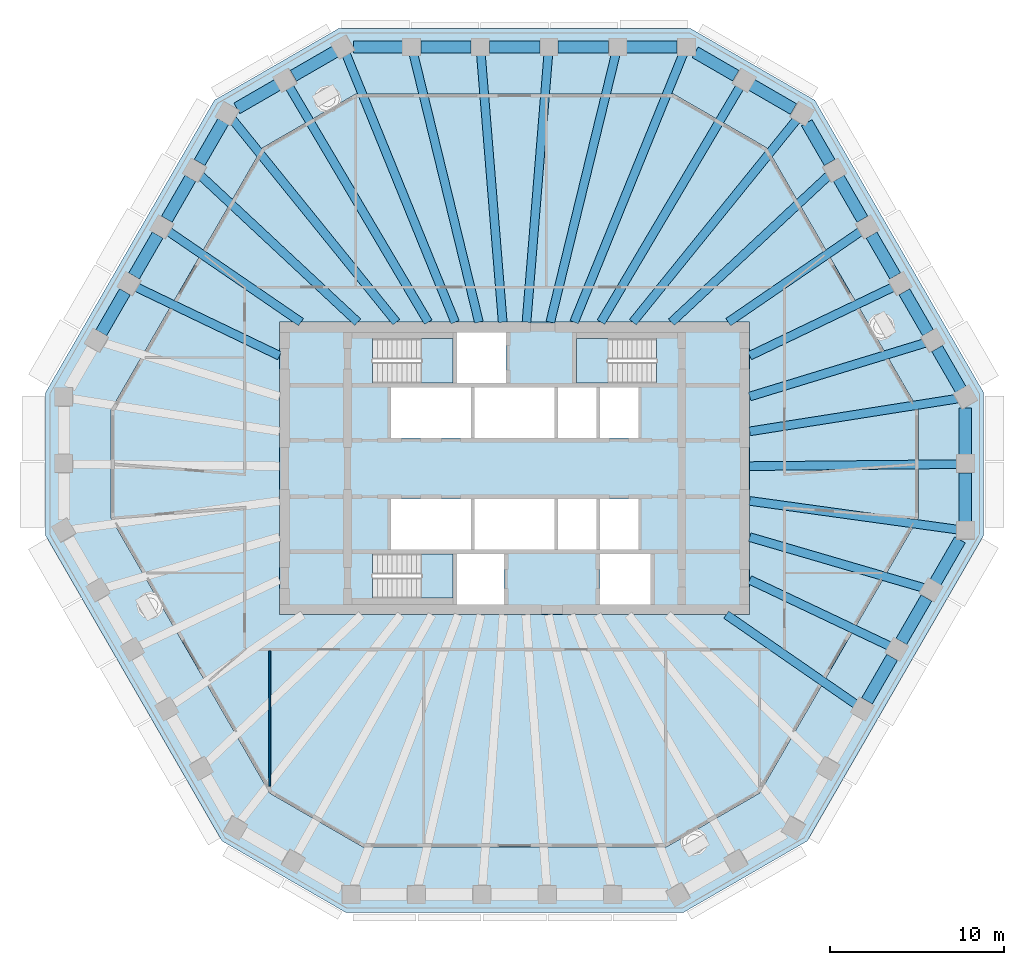
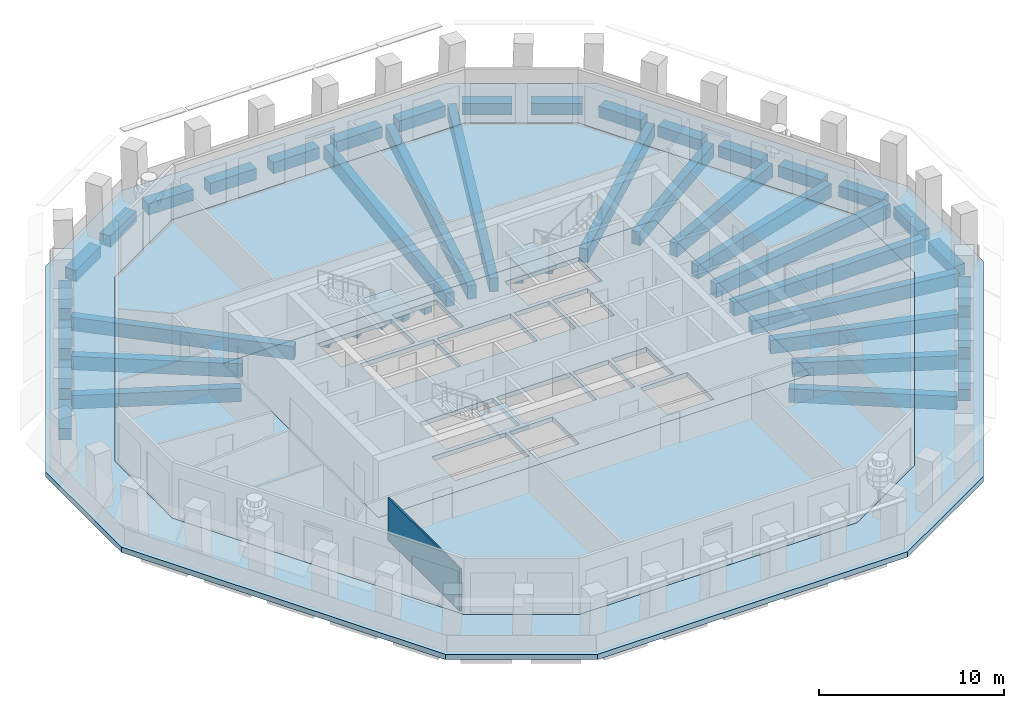
# One storey, part 2 of 12: 46 beams, 6 slabs, 1 wall, 3 elements without a shape of their own.
"""IFC4 building model written with IfcOpenShell, lengths in metres."""

from ifc_helpers import new_model, si_unit, direction, frame, frame_2d, origin, origin_2d, place, context, subcontext, project, spatial, polyline, rectangle, outline, extrude, material, layer, layer_set, material_profile, profile_set, type_object, element, aggregate, save


model = new_model("IFC4")

# Units and contexts
model_context = context("Model", 3, precision=1e-05, world=origin(), true_north=direction((0.0, 1.0)))
body_context = subcontext(model_context, "Body", "Model", "MODEL_VIEW")
ifc_project = project(units=[si_unit("LENGTHUNIT", "METRE"), si_unit("AREAUNIT", "SQUARE_METRE"), si_unit("VOLUMEUNIT", "CUBIC_METRE"), si_unit("PLANEANGLEUNIT", "RADIAN"), si_unit("MASSUNIT", "GRAM", prefix="KILO")], contexts=[model_context])

# Site, building, storey
site_placement = place(None, origin())
site = spatial("IfcSite", under=ifc_project, at=site_placement, CompositionType="ELEMENT")
building_placement = place(site_placement, origin())
building = spatial("IfcBuilding", under=site, at=building_placement, Name="Frailejon Research Tower", CompositionType="ELEMENT")
storey_placement = place(building_placement, frame((0.0, 0.0, 219.39990234375)))
storey = spatial("IfcBuildingStorey", under=building, at=storey_placement, Name="L47", CompositionType="ELEMENT", Elevation=219.39990234375)

# Beams
ifc_material_1 = material(Name="Concrete C60/75", Category="concrete")
ifc_material_profile_1 = material_profile(ifc_material_1, rectangle(XDim=0.5, YDim=0.89990234375, at=origin_2d()), Name="Girder 500x900")
ifc_profile_set_1 = profile_set([ifc_material_profile_1], Name="Concrete C60/75")
beam_type_1 = type_object("IfcBeamType", Name="Girder 500x900", PredefinedType="BEAM", material=ifc_profile_set_1)
beam_1_placement = place(storey_placement, frame((25.503173828125, -3.523193359375, -0.75), z_axis=(-0.990592142307, 0.13684738799, 0.0), x_axis=(-0.13684738799, -0.990592142307, 0.0)))
element("IfcBeam", 1, at=beam_1_placement, inside=storey, type_object=beam_type_1, Name="Girder 500x900", PredefinedType="BEAM", context=body_context, shape_type="SweptSolid", body=[
    extrude(rectangle(XDim=0.5, YDim=0.89990234375, at=origin_2d()), origin(), (0.0, 0.0, 1.0), 12.1171875),
])
beam_2_placement = place(storey_placement, frame((25.50439453125, 0.247802734375, -0.75), z_axis=(-0.999952750785, -0.009720915495, 0.0), x_axis=(0.009720915495, -0.999952750785, 0.0)))
element("IfcBeam", 2, at=beam_2_placement, inside=storey, type_object=beam_type_1, Name="Girder 500x900", PredefinedType="BEAM", context=body_context, shape_type="SweptSolid", body=[
    extrude(rectangle(XDim=0.5, YDim=0.89990234375, at=origin_2d()), origin(), (0.0, 0.0, 1.0), 12.0048828125),
])
beam_3_placement = place(storey_placement, frame((25.471923828125, 4.013916015625, -0.75), z_axis=(-0.987808492492, -0.15567396109, 0.0), x_axis=(0.15567396109, -0.987808492492, 0.0)))
element("IfcBeam", 3, at=beam_3_placement, inside=storey, type_object=beam_type_1, Name="Girder 500x900", PredefinedType="BEAM", context=body_context, shape_type="SweptSolid", body=[
    extrude(rectangle(XDim=0.5, YDim=0.89990234375, at=origin_2d()), origin(), (0.0, 0.0, 1.0), 12.11962890625),
])
beam_4_placement = place(storey_placement, frame((23.626220703125, 7.223388671875, -0.75), z_axis=(-0.956303411708, -0.292376101547, 0.0), x_axis=(0.292376101547, -0.956303411708, 0.0)))
element("IfcBeam", 4, at=beam_4_placement, inside=storey, type_object=beam_type_1, Name="Girder 500x900", PredefinedType="BEAM", context=body_context, shape_type="SweptSolid", body=[
    extrude(rectangle(XDim=0.5, YDim=0.89990234375, at=origin_2d()), origin(), (0.0, 0.0, 1.0), 10.5888671875),
])
beam_5_placement = place(storey_placement, frame((21.776611328125, 10.43359375, -0.75), z_axis=(-0.901828770545, -0.432093587799, 0.0), x_axis=(0.432093587799, -0.901828770545, 0.0)))
element("IfcBeam", 5, at=beam_5_placement, inside=storey, type_object=beam_type_1, Name="Girder 500x900", PredefinedType="BEAM", context=body_context, shape_type="SweptSolid", body=[
    extrude(rectangle(XDim=0.5, YDim=0.89990234375, at=origin_2d()), origin(), (0.0, 0.0, 1.0), 9.177490234375),
])
beam_6_placement = place(storey_placement, frame((19.924072265625, 13.642578125, -0.75), z_axis=(-0.825105217807, -0.564979096559, 0.0), x_axis=(0.564979096559, -0.825105217807, 0.0)))
element("IfcBeam", 6, at=beam_6_placement, inside=storey, type_object=beam_type_1, Name="Girder 500x900", PredefinedType="BEAM", context=body_context, shape_type="SweptSolid", body=[
    extrude(rectangle(XDim=0.5, YDim=0.89990234375, at=origin_2d()), origin(), (0.0, 0.0, 1.0), 9.279296875),
])
beam_7_placement = place(storey_placement, frame((18.068603515625, 16.84912109375, -0.75), z_axis=(-0.731348785757, -0.682003631641, 0.0), x_axis=(0.682003631641, -0.731348785757, 0.0)))
element("IfcBeam", 7, at=beam_7_placement, inside=storey, type_object=beam_type_1, Name="Girder 500x900", PredefinedType="BEAM", context=body_context, shape_type="SweptSolid", body=[
    extrude(rectangle(XDim=0.5, YDim=0.89990234375, at=origin_2d()), origin(), (0.0, 0.0, 1.0), 12.388916015625),
])
beam_8_placement = place(storey_placement, frame((16.231689453125, 20.07666015625, -0.75), z_axis=(-0.62870792427, -0.777641527929, 0.0), x_axis=(0.777641527929, -0.62870792427, 0.0)))
element("IfcBeam", 8, at=beam_8_placement, inside=storey, type_object=beam_type_1, Name="Girder 500x900", PredefinedType="BEAM", context=body_context, shape_type="SweptSolid", body=[
    extrude(rectangle(XDim=0.5, YDim=0.89990234375, at=origin_2d()), origin(), (0.0, 0.0, 1.0), 15.015625),
])
beam_9_placement = place(storey_placement, frame((12.966796875, 21.963623046875, -0.75), z_axis=(-0.508383049925, -0.861131043773, 0.0), x_axis=(0.861131043773, -0.508383049925, 0.0)))
element("IfcBeam", 9, at=beam_9_placement, inside=storey, type_object=beam_type_1, Name="Girder 500x900", PredefinedType="BEAM", context=body_context, shape_type="SweptSolid", body=[
    extrude(rectangle(XDim=0.5, YDim=0.89990234375, at=origin_2d()), origin(), (0.0, 0.0, 1.0), 15.7509765625),
])
beam_10_placement = place(storey_placement, frame((9.6865234375, 23.81396484375, -0.75), z_axis=(-0.376779993116, -0.926302778139, 0.0), x_axis=(0.926302778139, -0.376779993116, 0.0)))
element("IfcBeam", 10, at=beam_10_placement, inside=storey, type_object=beam_type_1, Name="Girder 500x900", PredefinedType="BEAM", context=body_context, shape_type="SweptSolid", body=[
    extrude(rectangle(XDim=0.5, YDim=0.89990234375, at=origin_2d()), origin(), (0.0, 0.0, 1.0), 16.640380859375),
])
beam_11_placement = place(storey_placement, frame((5.8134765625, 23.82080078125, -0.75), z_axis=(-0.237088953799, -0.971487945363, 0.0), x_axis=(0.971487945363, -0.237088953799, 0.0)))
element("IfcBeam", 11, at=beam_11_placement, inside=storey, type_object=beam_type_1, Name="Girder 500x900", PredefinedType="BEAM", context=body_context, shape_type="SweptSolid", body=[
    extrude(rectangle(XDim=0.5, YDim=0.89990234375, at=origin_2d()), origin(), (0.0, 0.0, 1.0), 15.87353515625),
])
for number, where, z_axis, x_axis, name in (
    (12, (1.938232421875, 23.824462890625, -0.75), (-0.081088235082, -0.9967069269, 0.0), (0.9967069269, -0.081088235082, 0.0), "Girder 500x900"),
    (13, (-1.938232421875, 23.824462890625, -0.75), (0.081088235082, -0.9967069269, 0.0), (0.9967069269, 0.081088235082, 0.0), "Girder 500x900"),
):
    element("IfcBeam", number, at=place(storey_placement, frame(where, z_axis=z_axis, x_axis=x_axis)), inside=storey, type_object=beam_type_1, Name=name, PredefinedType="BEAM", context=body_context, shape_type="SweptSolid", body=[
        extrude(rectangle(XDim=0.5, YDim=0.89990234375, at=origin_2d()), origin(), (0.0, 0.0, 1.0), 15.4755859375),
    ])
beam_12_placement = place(storey_placement, frame((-5.8134765625, 23.82080078125, -0.75), z_axis=(0.237088953799, -0.971487945363, 0.0), x_axis=(0.971487945363, 0.237088953799, 0.0)))
element("IfcBeam", 14, at=beam_12_placement, inside=storey, type_object=beam_type_1, Name="Girder 500x900", PredefinedType="BEAM", context=body_context, shape_type="SweptSolid", body=[
    extrude(rectangle(XDim=0.5, YDim=0.89990234375, at=origin_2d()), origin(), (0.0, 0.0, 1.0), 15.87353515625),
])
beam_13_placement = place(storey_placement, frame((-9.7001953125, 23.847900390625, -0.75), z_axis=(0.376773220142, -0.926305533064, 0.0), x_axis=(0.926305533064, 0.376773220142, 0.0)))
element("IfcBeam", 15, at=beam_13_placement, inside=storey, type_object=beam_type_1, Name="Girder 500x900", PredefinedType="BEAM", context=body_context, shape_type="SweptSolid", body=[
    extrude(rectangle(XDim=0.5, YDim=0.89990234375, at=origin_2d()), origin(), (0.0, 0.0, 1.0), 16.677001953125),
])
beam_14_placement = place(storey_placement, frame((-12.966796875, 21.963623046875, -0.75), z_axis=(0.508383049925, -0.861131043773, 0.0), x_axis=(0.861131043773, 0.508383049925, 0.0)))
element("IfcBeam", 16, at=beam_14_placement, inside=storey, type_object=beam_type_1, Name="Girder 500x900", PredefinedType="BEAM", context=body_context, shape_type="SweptSolid", body=[
    extrude(rectangle(XDim=0.5, YDim=0.89990234375, at=origin_2d()), origin(), (0.0, 0.0, 1.0), 15.7509765625),
])
beam_15_placement = place(storey_placement, frame((-16.212158203125, 20.052490234375, -0.75), z_axis=(0.628708314027, -0.777641212818, 0.0), x_axis=(0.777641212818, 0.628708314027, 0.0)))
element("IfcBeam", 17, at=beam_15_placement, inside=storey, type_object=beam_type_1, Name="Girder 500x900", PredefinedType="BEAM", context=body_context, shape_type="SweptSolid", body=[
    extrude(rectangle(XDim=0.5, YDim=0.89990234375, at=origin_2d()), origin(), (0.0, 0.0, 1.0), 14.984619140625),
])
beam_16_placement = place(storey_placement, frame((-18.068603515625, 16.84912109375, -0.75), z_axis=(0.731348785757, -0.682003631641, 0.0), x_axis=(0.682003631641, 0.731348785757, 0.0)))
element("IfcBeam", 18, at=beam_16_placement, inside=storey, type_object=beam_type_1, Name="Girder 500x900", PredefinedType="BEAM", context=body_context, shape_type="SweptSolid", body=[
    extrude(rectangle(XDim=0.5, YDim=0.89990234375, at=origin_2d()), origin(), (0.0, 0.0, 1.0), 12.388916015625),
])
beam_17_placement = place(storey_placement, frame((-19.924072265625, 13.642578125, -0.75), z_axis=(0.825105217807, -0.564979096559, 0.0), x_axis=(0.564979096559, 0.825105217807, 0.0)))
element("IfcBeam", 19, at=beam_17_placement, inside=storey, type_object=beam_type_1, Name="Girder 500x900", PredefinedType="BEAM", context=body_context, shape_type="SweptSolid", body=[
    extrude(rectangle(XDim=0.5, YDim=0.89990234375, at=origin_2d()), origin(), (0.0, 0.0, 1.0), 9.279296875),
])
beam_18_placement = place(storey_placement, frame((-21.776611328125, 10.43359375, -0.75), z_axis=(0.901828770545, -0.432093587799, 0.0), x_axis=(0.432093587799, 0.901828770545, 0.0)))
element("IfcBeam", 20, at=beam_18_placement, inside=storey, type_object=beam_type_1, Name="Girder 500x900", PredefinedType="BEAM", context=body_context, shape_type="SweptSolid", body=[
    extrude(rectangle(XDim=0.5, YDim=0.89990234375, at=origin_2d()), origin(), (0.0, 0.0, 1.0), 9.177490234375),
])
beam_19_placement = place(storey_placement, frame((19.66357421875, -13.5908203125, -0.75), z_axis=(-0.822618446311, 0.568593784515, 0.0), x_axis=(-0.568593784515, -0.822618446311, 0.0)))
element("IfcBeam", 21, at=beam_19_placement, inside=storey, type_object=beam_type_1, Name="Girder 500x900", PredefinedType="BEAM", context=body_context, shape_type="SweptSolid", body=[
    extrude(rectangle(XDim=0.5, YDim=0.89990234375, at=origin_2d()), origin(), (0.0, 0.0, 1.0), 9.12939453125),
])
beam_20_placement = place(storey_placement, frame((21.601806640625, -10.23388671875, -0.75), z_axis=(-0.903708447911, 0.428148386863, 0.0), x_axis=(-0.428148386863, -0.903708447911, 0.0)))
element("IfcBeam", 22, at=beam_20_placement, inside=storey, type_object=beam_type_1, Name="Girder 500x900", PredefinedType="BEAM", context=body_context, shape_type="SweptSolid", body=[
    extrude(rectangle(XDim=0.5, YDim=0.89990234375, at=origin_2d()), origin(), (0.0, 0.0, 1.0), 8.965087890625),
])
beam_21_placement = place(storey_placement, frame((23.5361328125, -6.875732421875, -0.75), z_axis=(-0.959879611216, 0.280412431913, 0.0), x_axis=(-0.280412431913, -0.959879611216, 0.0)))
element("IfcBeam", 23, at=beam_21_placement, inside=storey, type_object=beam_type_1, Name="Girder 500x900", PredefinedType="BEAM", context=body_context, shape_type="SweptSolid", body=[
    extrude(rectangle(XDim=0.5, YDim=0.89990234375, at=origin_2d()), origin(), (0.0, 0.0, 1.0), 10.45556640625),
])
ifc_material_2 = material(Name="Concrete C60/75", Category="concrete")
ifc_material_profile_2 = material_profile(ifc_material_2, rectangle(XDim=0.699951171875, YDim=0.75, at=origin_2d()), Name="Spandrel 700x750")
ifc_profile_set_2 = profile_set([ifc_material_profile_2], Name="Concrete C60/75")
beam_type_2 = type_object("IfcBeamType", Name="Spandrel 700x750", PredefinedType="BEAM", material=ifc_profile_set_2)
beam_22_placement = place(storey_placement, frame((25.87939453125, -3.05029296875, -0.724853515625), z_axis=(0.0, 1.0, 0.0), x_axis=(-1.0, 0.0, 0.0)))
element("IfcBeam", 24, at=beam_22_placement, inside=storey, type_object=beam_type_2, Name="Spandrel 700x750", PredefinedType="BEAM", context=body_context, shape_type="SweptSolid", body=[
    extrude(rectangle(XDim=0.699951171875, YDim=0.75, at=origin_2d()), origin(), (0.0, 0.0, 1.0), 2.776611328125),
])
beam_23_placement = place(storey_placement, frame((25.87939453125, 0.7763671875, -0.724853515625), z_axis=(0.0, 1.0, 0.0), x_axis=(-1.0, 0.0, 0.0)))
element("IfcBeam", 25, at=beam_23_placement, inside=storey, type_object=beam_type_2, Name="Spandrel 700x750", PredefinedType="BEAM", context=body_context, shape_type="SweptSolid", body=[
    extrude(rectangle(XDim=0.699951171875, YDim=0.75, at=origin_2d()), origin(), (0.0, 0.0, 1.0), 2.695556640625),
])
for number, where, z_axis, x_axis, name in (
    (26, (25.616943359375, 4.53271484375, -0.724853515625), (-0.499932759902, 0.866064221393, 0.0), (-0.866064221393, -0.499932759902, 0.0), "Spandrel 700x750"),
    (27, (23.7353515625, 7.7919921875, -0.724853515625), (-0.499971721724, 0.866041729639, 0.0), (-0.866041729639, -0.499971721724, 0.0), "Spandrel 700x750"),
    (28, (21.853759765625, 11.05078125, -0.724853515625), (-0.499971721724, 0.866041729639, 0.0), (-0.866041729639, -0.499971721724, 0.0), "Spandrel 700x750"),
    (29, (19.97216796875, 14.309814453125, -0.724853515625), (-0.500039210497, 0.86600276441, 0.0), (-0.86600276441, -0.500039210497, 0.0), "Spandrel 700x750"),
):
    element("IfcBeam", number, at=place(storey_placement, frame(where, z_axis=z_axis, x_axis=x_axis)), inside=storey, type_object=beam_type_2, Name=name, PredefinedType="BEAM", context=body_context, shape_type="SweptSolid", body=[
        extrude(rectangle(XDim=0.699951171875, YDim=0.75, at=origin_2d()), origin(), (0.0, 0.0, 1.0), 2.713134765625),
    ])
beam_24_placement = place(storey_placement, frame((18.090576171875, 17.56884765625, -0.724853515625), z_axis=(-0.499949948743, 0.866054298963, 0.0), x_axis=(-0.866054298963, -0.499949948743, 0.0)))
element("IfcBeam", 30, at=beam_24_placement, inside=storey, type_object=beam_type_2, Name="Spandrel 700x750", PredefinedType="BEAM", context=body_context, shape_type="SweptSolid", body=[
    extrude(rectangle(XDim=0.699951171875, YDim=0.75, at=origin_2d()), origin(), (0.0, 0.0, 1.0), 2.632080078125),
])
beam_25_placement = place(storey_placement, frame((16.016845703125, 20.6357421875, -0.724853515625), z_axis=(-0.865999619105, 0.500044657716, 0.0), x_axis=(-0.500044657716, -0.865999619105, 0.0)))
element("IfcBeam", 31, at=beam_25_placement, inside=storey, type_object=beam_type_2, Name="Spandrel 700x750", PredefinedType="BEAM", context=body_context, shape_type="SweptSolid", body=[
    extrude(rectangle(XDim=0.699951171875, YDim=0.75, at=origin_2d()), origin(), (0.0, 0.0, 1.0), 2.776611328125),
])
beam_26_placement = place(storey_placement, frame((12.702880859375, 22.549072265625, -0.724853515625), z_axis=(-0.866010629317, 0.500025589255, 0.0), x_axis=(-0.500025589255, -0.866010629317, 0.0)))
element("IfcBeam", 32, at=beam_26_placement, inside=storey, type_object=beam_type_2, Name="Spandrel 700x750", PredefinedType="BEAM", context=body_context, shape_type="SweptSolid", body=[
    extrude(rectangle(XDim=0.699951171875, YDim=0.75, at=origin_2d()), origin(), (0.0, 0.0, 1.0), 2.695556640625),
])
for number, where, z_axis, x_axis, name in (
    (33, (9.318603515625, 24.199951171875, -0.724853515625), (-1.0, 0.0, 0.0), (0.0, -1.0, 0.0), "Spandrel 700x750"),
    (34, (5.381103515625, 24.199951171875, -0.724853515625), (-1.0, 0.0, 0.0), (0.0, -1.0, 0.0), "Spandrel 700x750"),
):
    element("IfcBeam", number, at=place(storey_placement, frame(where, z_axis=z_axis, x_axis=x_axis)), inside=storey, type_object=beam_type_2, Name=name, PredefinedType="BEAM", context=body_context, shape_type="SweptSolid", body=[
        extrude(rectangle(XDim=0.699951171875, YDim=0.75, at=origin_2d()), origin(), (0.0, 0.0, 1.0), 2.887451171875),
    ])
beam_27_placement = place(storey_placement, frame((1.443603515625, 24.199951171875, -0.724853515625), z_axis=(-1.0, 0.0, 0.0), x_axis=(0.0, -1.0, 0.0)))
element("IfcBeam", 35, at=beam_27_placement, inside=storey, type_object=beam_type_2, Name="Spandrel 700x750", PredefinedType="BEAM", context=body_context, shape_type="SweptSolid", body=[
    extrude(rectangle(XDim=0.699951171875, YDim=0.75, at=origin_2d()), origin(), (0.0, 0.0, 1.0), 2.88720703125),
])
beam_28_placement = place(storey_placement, frame((-2.49365234375, 24.199951171875, -0.724853515625), z_axis=(-1.0, 0.0, 0.0), x_axis=(0.0, -1.0, 0.0)))
element("IfcBeam", 36, at=beam_28_placement, inside=storey, type_object=beam_type_2, Name="Spandrel 700x750", PredefinedType="BEAM", context=body_context, shape_type="SweptSolid", body=[
    extrude(rectangle(XDim=0.699951171875, YDim=0.75, at=origin_2d()), origin(), (0.0, 0.0, 1.0), 2.887451171875),
])
beam_29_placement = place(storey_placement, frame((-6.43115234375, 24.199951171875, -0.724853515625), z_axis=(-1.0, 0.0, 0.0), x_axis=(0.0, -1.0, 0.0)))
element("IfcBeam", 37, at=beam_29_placement, inside=storey, type_object=beam_type_2, Name="Spandrel 700x750", PredefinedType="BEAM", context=body_context, shape_type="SweptSolid", body=[
    extrude(rectangle(XDim=0.699951171875, YDim=0.75, at=origin_2d()), origin(), (0.0, 0.0, 1.0), 2.80615234375),
])
beam_30_placement = place(storey_placement, frame((-10.298095703125, 23.9375, -0.724853515625), z_axis=(-0.866021602438, -0.500006584067, 0.0), x_axis=(0.500006584067, -0.866021602438, 0.0)))
element("IfcBeam", 38, at=beam_30_placement, inside=storey, type_object=beam_type_2, Name="Spandrel 700x750", PredefinedType="BEAM", context=body_context, shape_type="SweptSolid", body=[
    extrude(rectangle(XDim=0.699951171875, YDim=0.75, at=origin_2d()), origin(), (0.0, 0.0, 1.0), 2.77685546875),
])
beam_31_placement = place(storey_placement, frame((-13.6123046875, 22.024169921875, -0.724853515625), z_axis=(-0.866027204995, -0.499996880198, 0.0), x_axis=(0.499996880198, -0.866027204995, 0.0)))
element("IfcBeam", 39, at=beam_31_placement, inside=storey, type_object=beam_type_2, Name="Spandrel 700x750", PredefinedType="BEAM", context=body_context, shape_type="SweptSolid", body=[
    extrude(rectangle(XDim=0.699951171875, YDim=0.75, at=origin_2d()), origin(), (0.0, 0.0, 1.0), 2.6953125),
])
beam_32_placement = place(storey_placement, frame((-16.73388671875, 19.918701171875, -0.724853515625), z_axis=(-0.500000246922, -0.866025261224, 0.0), x_axis=(0.866025261224, -0.500000246922, 0.0)))
element("IfcBeam", 40, at=beam_32_placement, inside=storey, type_object=beam_type_2, Name="Spandrel 700x750", PredefinedType="BEAM", context=body_context, shape_type="SweptSolid", body=[
    extrude(rectangle(XDim=0.699951171875, YDim=0.75, at=origin_2d()), origin(), (0.0, 0.0, 1.0), 2.71337890625),
])
for number, where, z_axis, x_axis, name in (
    (41, (-18.615478515625, 16.659423828125, -0.724853515625), (-0.500039210497, -0.86600276441, 0.0), (0.86600276441, -0.500039210497, 0.0), "Spandrel 700x750"),
    (42, (-20.497314453125, 13.400390625, -0.724853515625), (-0.499971721724, -0.866041729639, 0.0), (0.866041729639, -0.499971721724, 0.0), "Spandrel 700x750"),
    (43, (-22.37890625, 10.1416015625, -0.724853515625), (-0.499971721724, -0.866041729639, 0.0), (0.866041729639, -0.499971721724, 0.0), "Spandrel 700x750"),
):
    element("IfcBeam", number, at=place(storey_placement, frame(where, z_axis=z_axis, x_axis=x_axis)), inside=storey, type_object=beam_type_2, Name=name, PredefinedType="BEAM", context=body_context, shape_type="SweptSolid", body=[
        extrude(rectangle(XDim=0.699951171875, YDim=0.75, at=origin_2d()), origin(), (0.0, 0.0, 1.0), 2.713134765625),
    ])
beam_33_placement = place(storey_placement, frame((20.236083984375, -13.35009765625, -0.724853515625), z_axis=(0.50002257145, 0.86601237176, 0.0), x_axis=(-0.86601237176, 0.50002257145, 0.0)))
element("IfcBeam", 44, at=beam_33_placement, inside=storey, type_object=beam_type_2, Name="Spandrel 700x750", PredefinedType="BEAM", context=body_context, shape_type="SweptSolid", body=[
    extrude(rectangle(XDim=0.699951171875, YDim=0.75, at=origin_2d()), origin(), (0.0, 0.0, 1.0), 2.886962890625),
])
beam_34_placement = place(storey_placement, frame((22.20458984375, -9.9404296875, -0.724853515625), z_axis=(0.500049370584, 0.865996897788, 0.0), x_axis=(-0.865996897788, 0.500049370584, 0.0)))
element("IfcBeam", 45, at=beam_34_placement, inside=storey, type_object=beam_type_2, Name="Spandrel 700x750", PredefinedType="BEAM", context=body_context, shape_type="SweptSolid", body=[
    extrude(rectangle(XDim=0.699951171875, YDim=0.75, at=origin_2d()), origin(), (0.0, 0.0, 1.0), 2.887451171875),
])
beam_35_placement = place(storey_placement, frame((24.17333984375, -6.530517578125, -0.724853515625), z_axis=(0.500003616288, 0.866023315909, 0.0), x_axis=(-0.866023315909, 0.500003616288, 0.0)))
element("IfcBeam", 46, at=beam_35_placement, inside=storey, type_object=beam_type_2, Name="Spandrel 700x750", PredefinedType="BEAM", context=body_context, shape_type="SweptSolid", body=[
    extrude(rectangle(XDim=0.699951171875, YDim=0.75, at=origin_2d()), origin(), (0.0, 0.0, 1.0), 2.80615234375),
])

# Slabs
ifc_material_3 = material(Name="Concrete C60/75", Category="concrete")
ifc_layer_1 = layer(ifc_material_3, 0.300048828125)
ifc_layer_set_1 = layer_set([ifc_layer_1], Name="Core floor slab 300 C60/75")
slab_type_1 = type_object("IfcSlabType", Name="Core floor slab 300 C60/75", PredefinedType="FLOOR", material=ifc_layer_set_1)
slab_1_placement = place(storey_placement, frame((0.0, 0.0, -0.2998046875)))
element("IfcSlab", 47, at=slab_1_placement, inside=storey, type_object=slab_type_1, Name="Core floor slab", PredefinedType="FLOOR", context=body_context, shape_type="SweptSolid", body=[
    extrude(outline(polyline([(13.5, -8.39990234375), (13.5, 8.39990234375), (-13.5, 8.39990234375), (-13.5, -8.39990234375), (13.5, -8.39990234375)]), holes=[polyline([(-2.5, 1.75), (-2.5, 4.64990234375), (-7.10009765625, 4.64990234375), (-7.10009765625, 1.75), (-2.5, 1.75)]), polyline([(2.300048828125, 1.75), (2.300048828125, 4.64990234375), (-2.300048828125, 4.64990234375), (-2.300048828125, 1.75), (2.300048828125, 1.75)]), polyline([(4.699951171875, 1.75), (4.699951171875, 4.64990234375), (2.5, 4.64990234375), (2.5, 1.75), (4.699951171875, 1.75)]), polyline([(7.10009765625, 1.75), (7.10009765625, 4.64990234375), (4.89990234375, 4.64990234375), (4.89990234375, 1.75), (7.10009765625, 1.75)]), polyline([(-2.5, -4.64990234375), (-2.5, -1.75), (-7.10009765625, -1.75), (-7.10009765625, -4.64990234375), (-2.5, -4.64990234375)]), polyline([(2.300048828125, -4.64990234375), (2.300048828125, -1.75), (-2.300048828125, -1.75), (-2.300048828125, -4.64990234375), (2.300048828125, -4.64990234375)]), polyline([(4.699951171875, -4.64990234375), (4.699951171875, -1.75), (2.5, -1.75), (2.5, -4.64990234375), (4.699951171875, -4.64990234375)]), polyline([(7.10009765625, -4.64990234375), (7.10009765625, -1.75), (4.89990234375, -1.75), (4.89990234375, -4.64990234375), (7.10009765625, -4.64990234375)]), polyline([(-8.14697265625, 4.89990234375), (-3.550048828125, 4.89990234375), (-3.550048828125, 7.449951171875), (-8.14697265625, 7.449951171875), (-8.14697265625, 4.89990234375)]), polyline([(-8.14697265625, -7.449951171875), (-3.550048828125, -7.449951171875), (-3.550048828125, -4.89990234375), (-8.14697265625, -4.89990234375), (-8.14697265625, -7.449951171875)]), polyline([(8.14697265625, 7.449951171875), (3.550048828125, 7.449951171875), (3.550048828125, 4.89990234375), (8.14697265625, 4.89990234375), (8.14697265625, 7.449951171875)]), polyline([(-0.60009765625, -7.800048828125), (-0.60009765625, -4.89990234375), (-3.300048828125, -4.89990234375), (-3.300048828125, -7.800048828125), (-0.60009765625, -7.800048828125)]), polyline([(7.800048828125, -7.800048828125), (7.800048828125, -4.89990234375), (4.89990234375, -4.89990234375), (4.89990234375, -7.800048828125), (7.800048828125, -7.800048828125)]), polyline([(-0.5, 4.89990234375), (-0.5, 7.800048828125), (-3.300048828125, 7.800048828125), (-3.300048828125, 4.89990234375), (-0.5, 4.89990234375)])]), origin(), (0.0, 0.0, 1.0), 0.2998046875),
])
ifc_material_4 = material(Name="Concrete C40/50", Category="concrete")
ifc_layer_2 = layer(ifc_material_4, 0.35009765625)
ifc_layer_set_2 = layer_set([ifc_layer_2], Name="Loggia slab 350")
slab_type_2 = type_object("IfcSlabType", Name="Loggia slab 350", PredefinedType="USERDEFINED", material=ifc_layer_set_2)
slab_2_placement = place(storey_placement, frame((0.0, 0.0, -0.349853515625)))
element("IfcSlab", 48, at=slab_2_placement, inside=storey, type_object=slab_type_2, Name="Loggia slab L47", ObjectType="LOGGIA", PredefinedType="USERDEFINED", context=body_context, shape_type="SweptSolid", body=[
    extrude(outline(polyline([(16.8046875, -21.393310546875), (9.689453125, -25.50146484375), (-9.689453125, -25.50146484375), (-16.8046875, -21.393310546875), (-26.929443359375, -3.856689453125), (-26.929443359375, 4.359619140625), (-17.240234375, 21.141845703125), (-10.124755859375, 25.25), (10.124755859375, 25.25), (17.240234375, 21.141845703125), (26.929443359375, 4.359619140625), (26.929443359375, -3.856689453125), (16.8046875, -21.393310546875)]), holes=[polyline([(23.179443359375, 3.354736328125), (14.4951171875, 18.396728515625), (9.1201171875, 21.5), (-9.1201171875, 21.5), (-14.4951171875, 18.396728515625), (-23.179443359375, 3.354736328125), (-23.179443359375, -2.851806640625), (-14.0595703125, -18.648193359375), (-8.6845703125, -21.75146484375), (8.6845703125, -21.75146484375), (14.0595703125, -18.648193359375), (23.179443359375, -2.851806640625), (23.179443359375, 3.354736328125)])]), origin(), (0.0, 0.0, 1.0), 0.349853515625),
])
ifc_material_5 = material(Name="Concrete C40/50", Category="concrete")
ifc_layer_3 = layer(ifc_material_5, 0.300048828125)
ifc_layer_set_3 = layer_set([ifc_layer_3], Name="Slab typical 300")
slab_type_3 = type_object("IfcSlabType", Name="Slab typical 300", PredefinedType="FLOOR", material=ifc_layer_set_3)
slab_3_placement = place(storey_placement, frame((0.0, 0.0, -0.2998046875)))
element("IfcSlab", 49, at=slab_3_placement, inside=storey, type_object=slab_type_3, Name="Floor slab L47", PredefinedType="FLOOR", context=body_context, shape_type="SweptSolid", body=[
    extrude(outline(polyline([(23.179443359375, -2.851806640625), (23.179443359375, 3.354736328125), (14.4951171875, 18.396728515625), (9.1201171875, 21.5), (-9.1201171875, 21.5), (-14.4951171875, 18.396728515625), (-23.179443359375, 3.354736328125), (-23.179443359375, -2.851806640625), (-14.0595703125, -18.648193359375), (-8.6845703125, -21.75146484375), (8.6845703125, -21.75146484375), (14.0595703125, -18.648193359375), (23.179443359375, -2.851806640625)]), holes=[polyline([(13.5, -8.39990234375), (-13.5, -8.39990234375), (-13.5, 8.39990234375), (13.5, 8.39990234375), (13.5, -8.39990234375)])]), origin(), (0.0, 0.0, 1.0), 0.2998046875),
])

# Stair, slab
ifc_material_6 = material(Name="Concrete C50/60", Category="concrete")
stair_type = type_object("IfcStairType", Name="Exit stair 22 risers", PredefinedType="HALF_TURN_STAIR", material=ifc_material_6)
stair_1_placement = place(storey_placement, origin())
stair_1 = element("IfcStair", 50, at=stair_1_placement, inside=storey, type_object=stair_type, Name="L47 Exit stair ST1", PredefinedType="HALF_TURN_STAIR")
ifc_material_7 = material(Name="Concrete C50/60", Category="concrete")
ifc_layer_4 = layer(ifc_material_7, 0.199951171875)
ifc_layer_set_4 = layer_set([ifc_layer_4], Name="Stair landing slab 200")
slab_type_4 = type_object("IfcSlabType", Name="Stair landing slab 200", PredefinedType="LANDING", material=ifc_layer_set_4)
slab_4_placement = place(storey_placement, frame((0.0, 0.0, 1.800048828125)))
slab_4 = element("IfcSlab", 51, at=slab_4_placement, type_object=slab_type_4, Name="ST1 landing 1", PredefinedType="LANDING", context=body_context, shape_type="SweptSolid", body=[
    extrude(outline(polyline([(-5.35009765625, 4.89990234375), (-3.550048828125, 4.89990234375), (-3.550048828125, 7.449951171875), (-5.35009765625, 7.449951171875), (-5.35009765625, 4.89990234375)])), origin(), (0.0, 0.0, 1.0), 0.199951171875),
])
aggregate(stair_1, [slab_4])

stair_2_placement = place(storey_placement, origin())
stair_2 = element("IfcStair", 52, at=stair_2_placement, inside=storey, type_object=stair_type, Name="L47 Exit stair ST2", PredefinedType="HALF_TURN_STAIR")
slab_5_placement = place(storey_placement, frame((0.0, 0.0, 1.800048828125)))
slab_5 = element("IfcSlab", 53, at=slab_5_placement, type_object=slab_type_4, Name="ST2 landing 1", PredefinedType="LANDING", context=body_context, shape_type="SweptSolid", body=[
    extrude(outline(polyline([(-5.35009765625, -7.449951171875), (-3.550048828125, -7.449951171875), (-3.550048828125, -4.89990234375), (-5.35009765625, -4.89990234375), (-5.35009765625, -7.449951171875)])), origin(), (0.0, 0.0, 1.0), 0.199951171875),
])
aggregate(stair_2, [slab_5])

stair_3_placement = place(storey_placement, origin())
stair_3 = element("IfcStair", 54, at=stair_3_placement, inside=storey, type_object=stair_type, Name="L47 Exit stair ST3", PredefinedType="HALF_TURN_STAIR")
slab_6_placement = place(storey_placement, frame((0.0, 0.0, 1.800048828125)))
slab_6 = element("IfcSlab", 55, at=slab_6_placement, type_object=slab_type_4, Name="ST3 landing 1", PredefinedType="LANDING", context=body_context, shape_type="SweptSolid", body=[
    extrude(outline(polyline([(5.35009765625, 7.449951171875), (3.550048828125, 7.449951171875), (3.550048828125, 4.89990234375), (5.35009765625, 4.89990234375), (5.35009765625, 7.449951171875)])), origin(), (0.0, 0.0, 1.0), 0.199951171875),
])
aggregate(stair_3, [slab_6])

# Wall
ifc_material_8 = material(Name="Gypsum board and masonry partition", Category="masonry")
ifc_layer_5 = layer(ifc_material_8, 0.10009765625)
ifc_layer_set_5 = layer_set([ifc_layer_5], Name="Partition, gypsum on steel studs 100")
wall_type = type_object("IfcWallType", Name="Partition, gypsum on steel studs 100", PredefinedType="PARTITIONING", material=ifc_layer_set_5)
wall_placement = place(storey_placement, frame((-14.0595703125, -18.248291015625, 0.0), z_axis=(0.0, 0.0, 1.0), x_axis=(0.0, 1.0, 0.0)))
element("IfcWall", 56, at=wall_placement, inside=storey, type_object=wall_type, Name="T:IW:L47:021", PredefinedType="PARTITIONING", context=body_context, shape_type="SweptSolid", body=[
    extrude(rectangle(XDim=7.773193359375, YDim=0.10009765625, at=frame_2d((3.88671875, 0.0))), origin(), (0.0, 0.0, 1.0), 2.800048828125),
])

save(model, "model.ifc")
